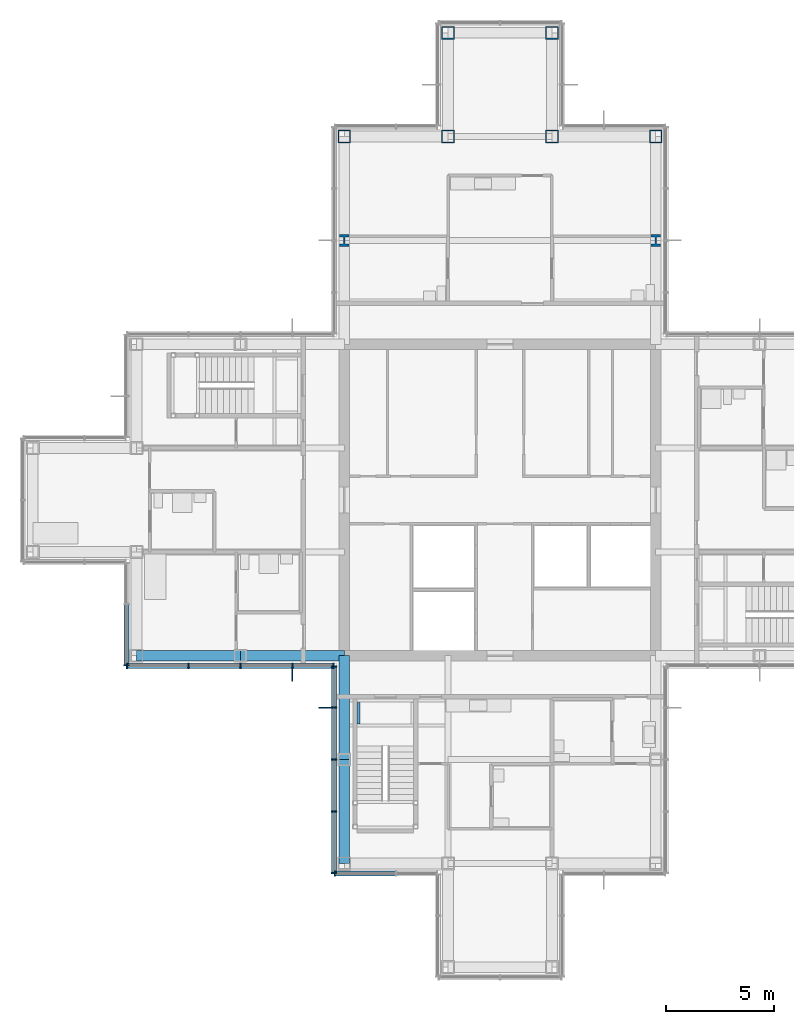
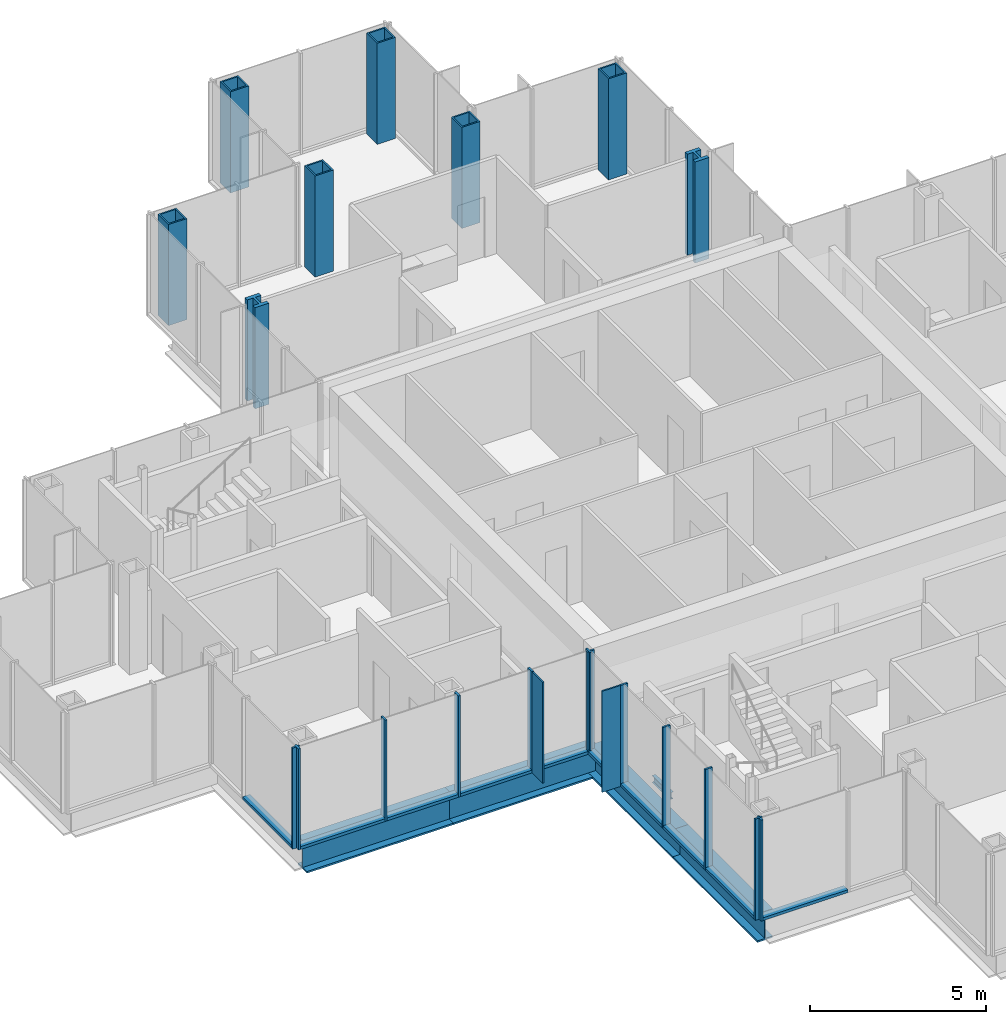
# One storey, part 5 of 17: 24 members, 8 columns, 5 beams, 4 elements without a shape of their own.
"""IFC4 building model written with IfcOpenShell, lengths in metres."""

from ifc_helpers import new_model, si_unit, direction, frame, origin, origin_2d, place, context, subcontext, project, spatial, rectangle, hollow_rectangle, i_section, extrude, material, material_profile, profile_set, type_object, element, aggregate, save


model = new_model("IFC4")

# Units and contexts
model_context = context("Model", 3, precision=1e-05, world=origin(), true_north=direction((0.0, 1.0)))
body_context = subcontext(model_context, "Body", "Model", "MODEL_VIEW")
ifc_project = project(units=[si_unit("LENGTHUNIT", "METRE"), si_unit("AREAUNIT", "SQUARE_METRE"), si_unit("VOLUMEUNIT", "CUBIC_METRE"), si_unit("PLANEANGLEUNIT", "RADIAN"), si_unit("MASSUNIT", "GRAM", prefix="KILO")], contexts=[model_context])

# Site, building, storey
site_placement = place(None, origin())
site = spatial("IfcSite", under=ifc_project, at=site_placement, CompositionType="ELEMENT")
building_placement = place(site_placement, origin())
building = spatial("IfcBuilding", under=site, at=building_placement, Name="Kvirike Care Tower", CompositionType="ELEMENT")
storey_placement = place(building_placement, frame((0.0, 0.0, 158.5)))
storey = spatial("IfcBuildingStorey", under=building, at=storey_placement, Name="L43", CompositionType="ELEMENT", Elevation=158.5)

# Columns
ifc_material_1 = material(Name="Steel S460", Category="steel")
ifc_material_profile_1 = material_profile(ifc_material_1, hollow_rectangle(XDim=0.60009765625, YDim=0.60009765625, WallThickness=0.050048828125, at=origin_2d()), Name="BX 600x600x50")
ifc_profile_set_1 = profile_set([ifc_material_profile_1], Name="Steel S460")
column_type_1 = type_object("IfcColumnType", Name="COLUMN BX 600x600x50", PredefinedType="COLUMN", material=ifc_profile_set_1)
for number, where, z_axis, x_axis, name in (
    (1, (14.39990234375, 52.800048828125, 0.0), (0.0, 0.0, 1.0), (0.0, 1.0, 0.0), "Column M6 L43"),
    (2, (19.199951171875, 52.800048828125, 0.0), (0.0, 0.0, 1.0), (0.0, 1.0, 0.0), "Column M7 L43"),
    (3, (19.199951171875, 57.60009765625, 0.0), (0.0, 0.0, 1.0), (0.0, 1.0, 0.0), "Column N7 L43"),
    (4, (24.0, 52.800048828125, 0.0), (0.0, 0.0, 1.0), (0.0, 1.0, 0.0), "Column M8 L43"),
    (5, (24.0, 57.60009765625, 0.0), (0.0, 0.0, 1.0), (0.0, 1.0, 0.0), "Column N8 L43"),
    (6, (28.800048828125, 52.800048828125, 0.0), (0.0, 0.0, 1.0), (0.0, 1.0, 0.0), "Column M9 L43"),
):
    element("IfcColumn", number, at=place(storey_placement, frame(where, z_axis=z_axis, x_axis=x_axis)), inside=storey, type_object=column_type_1, Name=name, PredefinedType="COLUMN", context=body_context, shape_type="SweptSolid", body=[
        extrude(hollow_rectangle(XDim=0.60009765625, YDim=0.60009765625, WallThickness=0.050048828125, at=origin_2d()), origin(), (0.0, 0.0, 1.0), 3.5),
    ])
ifc_material_2 = material(Name="Steel S460", Category="steel")
ifc_material_profile_2 = material_profile(ifc_material_2, i_section(OverallWidth=0.4541015625, OverallDepth=0.569091796875, WebThickness=0.077880859375, FlangeThickness=0.125, FilletRadius=0.014892578125, at=origin_2d()), Name="HD 400x1086")
ifc_profile_set_2 = profile_set([ifc_material_profile_2], Name="Steel S460")
column_type_2 = type_object("IfcColumnType", Name="COLUMN HD 400x1086", PredefinedType="COLUMN", material=ifc_profile_set_2)
for number, where, z_axis, x_axis, name in (
    (7, (14.39990234375, 48.0, 0.0), (0.0, 0.0, 1.0), (1.0, 0.0, 0.0), "Column L6 L43"),
    (8, (28.800048828125, 48.0, 0.0), (0.0, 0.0, 1.0), (1.0, 0.0, 0.0), "Column L9 L43"),
):
    element("IfcColumn", number, at=place(storey_placement, frame(where, z_axis=z_axis, x_axis=x_axis)), inside=storey, type_object=column_type_2, Name=name, PredefinedType="COLUMN", context=body_context, shape_type="SweptSolid", body=[
        extrude(i_section(OverallWidth=0.4541015625, OverallDepth=0.569091796875, WebThickness=0.077880859375, FlangeThickness=0.125, FilletRadius=0.014892578125, at=origin_2d()), origin(), (0.0, 0.0, 1.0), 3.5),
    ])

# Curtain wall, member
ifc_material_3 = material(Name="Anodised aluminium stick system", Category="aluminium")
curtain_wall_type = type_object("IfcCurtainWallType", Name="CW-C STICK CURTAIN WALL", PredefinedType="NOTDEFINED", material=ifc_material_3)
curtain_wall_1_placement = place(storey_placement, origin())
curtain_wall_1 = element("IfcCurtainWall", 9, at=curtain_wall_1_placement, inside=storey, type_object=curtain_wall_type, Name="Curtain wall L43 face 21", PredefinedType="NOTDEFINED")
ifc_material_4 = material(Name="Bronze anodised aluminium fin", Category="aluminium")
ifc_material_profile_3 = material_profile(ifc_material_4, rectangle(XDim=0.050048828125, YDim=0.60009765625, at=origin_2d()), Name="BRONZE FIN 600")
ifc_profile_set_3 = profile_set([ifc_material_profile_3], Name="Bronze anodised aluminium fin")
member_type_1 = type_object("IfcMemberType", Name="BRONZE FIN 600", PredefinedType="USERDEFINED", material=ifc_profile_set_3)
member_1_placement = place(storey_placement, frame((12.0, 27.909912109375, 0.0), z_axis=(0.0, 0.0, 1.0), x_axis=(1.0, 0.0, 0.0)))
member_1 = element("IfcMember", 10, at=member_1_placement, type_object=member_type_1, Name="Bronze fin L43 face 21.4", ObjectType="FIN", PredefinedType="USERDEFINED", context=body_context, shape_type="SweptSolid", body=[
    extrude(rectangle(XDim=0.050048828125, YDim=0.60009765625, at=origin_2d()), origin(), (0.0, 0.0, 1.0), 3.5),
])

curtain_wall_2_placement = place(storey_placement, origin())
curtain_wall_2 = element("IfcCurtainWall", 11, at=curtain_wall_2_placement, inside=storey, type_object=curtain_wall_type, Name="Curtain wall L43 face 22", PredefinedType="NOTDEFINED")
member_2_placement = place(storey_placement, frame((13.510009765625, 26.39990234375, 0.0), z_axis=(0.0, 0.0, 1.0), x_axis=(0.0, -1.0, 0.0)))
member_2 = element("IfcMember", 12, at=member_2_placement, type_object=member_type_1, Name="Bronze fin L43 face 22.2", ObjectType="FIN", PredefinedType="USERDEFINED", context=body_context, shape_type="SweptSolid", body=[
    extrude(rectangle(XDim=0.050048828125, YDim=0.60009765625, at=origin_2d()), origin(), (0.0, 0.0, 1.0), 3.5),
])

curtain_wall_3_placement = place(storey_placement, origin())
curtain_wall_3 = element("IfcCurtainWall", 13, at=curtain_wall_3_placement, inside=storey, type_object=curtain_wall_type, Name="Curtain wall L43 face 20", PredefinedType="NOTDEFINED")
ifc_material_5 = material(Name="Bronze anodised aluminium mullion", Category="aluminium")
ifc_material_profile_4 = material_profile(ifc_material_5, rectangle(XDim=0.06494140625, YDim=0.239990234375, at=origin_2d()), Name="CW-C MULLION 65x240")
ifc_profile_set_4 = profile_set([ifc_material_profile_4], Name="Bronze anodised aluminium mullion")
member_type_2 = type_object("IfcMemberType", Name="CW-C MULLION 65x240", PredefinedType="MULLION", material=ifc_profile_set_4)
member_3_placement = place(storey_placement, frame((4.330078125, 28.362548828125, 0.0), z_axis=(0.0, 0.0, 1.0), x_axis=(0.0, -1.0, 0.0)))
member_3 = element("IfcMember", 14, at=member_3_placement, type_object=member_type_2, Name="CW-C mullion L43 face 20.3", PredefinedType="MULLION", context=body_context, shape_type="SweptSolid", body=[
    extrude(rectangle(XDim=0.06494140625, YDim=0.239990234375, at=origin_2d()), origin(), (0.0, 0.0, 1.0), 3.5),
])

# Member
member_4_placement = place(storey_placement, frame((4.362548828125, 28.330078125, 0.0), z_axis=(0.0, 0.0, 1.0), x_axis=(1.0, 0.0, 0.0)))
member_4 = element("IfcMember", 15, at=member_4_placement, type_object=member_type_2, Name="CW-C mullion L43 face 21.1", PredefinedType="MULLION", context=body_context, shape_type="SweptSolid", body=[
    extrude(rectangle(XDim=0.06494140625, YDim=0.239990234375, at=origin_2d()), origin(), (0.0, 0.0, 1.0), 3.5),
])

member_5_placement = place(storey_placement, frame((7.199951171875, 28.330078125, 0.0), z_axis=(0.0, 0.0, 1.0), x_axis=(1.0, 0.0, 0.0)))
member_5 = element("IfcMember", 16, at=member_5_placement, type_object=member_type_2, Name="CW-C mullion L43 face 21.2", PredefinedType="MULLION", context=body_context, shape_type="SweptSolid", body=[
    extrude(rectangle(XDim=0.06494140625, YDim=0.239990234375, at=origin_2d()), origin(), (0.0, 0.0, 1.0), 3.5),
])

member_6_placement = place(storey_placement, frame((9.60009765625, 28.330078125, 0.0), z_axis=(0.0, 0.0, 1.0), x_axis=(1.0, 0.0, 0.0)))
member_6 = element("IfcMember", 17, at=member_6_placement, type_object=member_type_2, Name="CW-C mullion L43 face 21.3", PredefinedType="MULLION", context=body_context, shape_type="SweptSolid", body=[
    extrude(rectangle(XDim=0.06494140625, YDim=0.239990234375, at=origin_2d()), origin(), (0.0, 0.0, 1.0), 3.5),
])

member_7_placement = place(storey_placement, frame((12.0, 28.330078125, 0.0), z_axis=(0.0, 0.0, 1.0), x_axis=(1.0, 0.0, 0.0)))
member_7 = element("IfcMember", 18, at=member_7_placement, type_object=member_type_2, Name="CW-C mullion L43 face 21.4", PredefinedType="MULLION", context=body_context, shape_type="SweptSolid", body=[
    extrude(rectangle(XDim=0.06494140625, YDim=0.239990234375, at=origin_2d()), origin(), (0.0, 0.0, 1.0), 3.5),
])

member_8_placement = place(storey_placement, frame((13.8974609375, 28.330078125, 0.0), z_axis=(0.0, 0.0, 1.0), x_axis=(1.0, 0.0, 0.0)))
member_8 = element("IfcMember", 19, at=member_8_placement, type_object=member_type_2, Name="CW-C mullion L43 face 21.5", PredefinedType="MULLION", context=body_context, shape_type="SweptSolid", body=[
    extrude(rectangle(XDim=0.06494140625, YDim=0.239990234375, at=origin_2d()), origin(), (0.0, 0.0, 1.0), 3.5),
])

member_9_placement = place(storey_placement, frame((13.929931640625, 28.297607421875, 0.0), z_axis=(0.0, 0.0, 1.0), x_axis=(0.0, -1.0, 0.0)))
member_9 = element("IfcMember", 20, at=member_9_placement, type_object=member_type_2, Name="CW-C mullion L43 face 22.1", PredefinedType="MULLION", context=body_context, shape_type="SweptSolid", body=[
    extrude(rectangle(XDim=0.06494140625, YDim=0.239990234375, at=origin_2d()), origin(), (0.0, 0.0, 1.0), 3.5),
])

member_10_placement = place(storey_placement, frame((13.929931640625, 26.39990234375, 0.0), z_axis=(0.0, 0.0, 1.0), x_axis=(0.0, -1.0, 0.0)))
member_10 = element("IfcMember", 21, at=member_10_placement, type_object=member_type_2, Name="CW-C mullion L43 face 22.2", PredefinedType="MULLION", context=body_context, shape_type="SweptSolid", body=[
    extrude(rectangle(XDim=0.06494140625, YDim=0.239990234375, at=origin_2d()), origin(), (0.0, 0.0, 1.0), 3.5),
])

member_11_placement = place(storey_placement, frame((13.929931640625, 24.0, 0.0), z_axis=(0.0, 0.0, 1.0), x_axis=(0.0, -1.0, 0.0)))
member_11 = element("IfcMember", 22, at=member_11_placement, type_object=member_type_2, Name="CW-C mullion L43 face 22.3", PredefinedType="MULLION", context=body_context, shape_type="SweptSolid", body=[
    extrude(rectangle(XDim=0.06494140625, YDim=0.239990234375, at=origin_2d()), origin(), (0.0, 0.0, 1.0), 3.5),
])

member_12_placement = place(storey_placement, frame((13.929931640625, 21.60009765625, 0.0), z_axis=(0.0, 0.0, 1.0), x_axis=(0.0, -1.0, 0.0)))
member_12 = element("IfcMember", 23, at=member_12_placement, type_object=member_type_2, Name="CW-C mullion L43 face 22.4", PredefinedType="MULLION", context=body_context, shape_type="SweptSolid", body=[
    extrude(rectangle(XDim=0.06494140625, YDim=0.239990234375, at=origin_2d()), origin(), (0.0, 0.0, 1.0), 3.5),
])

member_13_placement = place(storey_placement, frame((13.929931640625, 18.762451171875, 0.0), z_axis=(0.0, 0.0, 1.0), x_axis=(0.0, -1.0, 0.0)))
member_13 = element("IfcMember", 24, at=member_13_placement, type_object=member_type_2, Name="CW-C mullion L43 face 22.5", PredefinedType="MULLION", context=body_context, shape_type="SweptSolid", body=[
    extrude(rectangle(XDim=0.06494140625, YDim=0.239990234375, at=origin_2d()), origin(), (0.0, 0.0, 1.0), 3.5),
])

# Curtain wall, member
curtain_wall_4_placement = place(storey_placement, origin())
curtain_wall_4 = element("IfcCurtainWall", 25, at=curtain_wall_4_placement, inside=storey, type_object=curtain_wall_type, Name="Curtain wall L43 face 23", PredefinedType="NOTDEFINED")
member_14_placement = place(storey_placement, frame((13.96240234375, 18.72998046875, 0.0), z_axis=(0.0, 0.0, 1.0), x_axis=(1.0, 0.0, 0.0)))
member_14 = element("IfcMember", 26, at=member_14_placement, type_object=member_type_2, Name="CW-C mullion L43 face 23.1", PredefinedType="MULLION", context=body_context, shape_type="SweptSolid", body=[
    extrude(rectangle(XDim=0.06494140625, YDim=0.239990234375, at=origin_2d()), origin(), (0.0, 0.0, 1.0), 3.5),
])

# Member
ifc_material_6 = material(Name="Bronze anodised aluminium transom", Category="aluminium")
ifc_material_profile_5 = material_profile(ifc_material_6, rectangle(XDim=0.239990234375, YDim=0.10009765625, at=origin_2d()), Name="CW-C TRANSOM 240x100")
ifc_profile_set_5 = profile_set([ifc_material_profile_5], Name="Bronze anodised aluminium transom")
member_type_3 = type_object("IfcMemberType", Name="CW-C TRANSOM 240x100", PredefinedType="USERDEFINED", material=ifc_profile_set_5)
member_15_placement = place(storey_placement, frame((4.330078125, 31.16748046875, 0.050048828125), z_axis=(0.0, -1.0, 0.0), x_axis=(1.0, 0.0, 0.0)))
member_15 = element("IfcMember", 27, at=member_15_placement, type_object=member_type_3, Name="CW-C sill transom L43 face 20.2", ObjectType="TRANSOM", PredefinedType="USERDEFINED", context=body_context, shape_type="SweptSolid", body=[
    extrude(rectangle(XDim=0.239990234375, YDim=0.10009765625, at=origin_2d()), origin(), (0.0, 0.0, 1.0), 2.7724609375),
])

aggregate(curtain_wall_3, [member_3, member_15])

member_16_placement = place(storey_placement, frame((4.39501953125, 28.330078125, 0.050048828125), z_axis=(1.0, 0.0, 0.0), x_axis=(0.0, 1.0, 0.0)))
member_16 = element("IfcMember", 28, at=member_16_placement, type_object=member_type_3, Name="CW-C sill transom L43 face 21.1", ObjectType="TRANSOM", PredefinedType="USERDEFINED", context=body_context, shape_type="SweptSolid", body=[
    extrude(rectangle(XDim=0.239990234375, YDim=0.10009765625, at=origin_2d()), origin(), (0.0, 0.0, 1.0), 2.7724609375),
])

member_17_placement = place(storey_placement, frame((7.232421875, 28.330078125, 0.050048828125), z_axis=(1.0, 0.0, 0.0), x_axis=(0.0, 1.0, 0.0)))
member_17 = element("IfcMember", 29, at=member_17_placement, type_object=member_type_3, Name="CW-C sill transom L43 face 21.2", ObjectType="TRANSOM", PredefinedType="USERDEFINED", context=body_context, shape_type="SweptSolid", body=[
    extrude(rectangle(XDim=0.239990234375, YDim=0.10009765625, at=origin_2d()), origin(), (0.0, 0.0, 1.0), 2.3349609375),
])

member_18_placement = place(storey_placement, frame((9.632568359375, 28.330078125, 0.050048828125), z_axis=(1.0, 0.0, 0.0), x_axis=(0.0, 1.0, 0.0)))
member_18 = element("IfcMember", 30, at=member_18_placement, type_object=member_type_3, Name="CW-C sill transom L43 face 21.3", ObjectType="TRANSOM", PredefinedType="USERDEFINED", context=body_context, shape_type="SweptSolid", body=[
    extrude(rectangle(XDim=0.239990234375, YDim=0.10009765625, at=origin_2d()), origin(), (0.0, 0.0, 1.0), 2.3349609375),
])

member_19_placement = place(storey_placement, frame((12.032470703125, 28.330078125, 0.050048828125), z_axis=(1.0, 0.0, 0.0), x_axis=(0.0, 1.0, 0.0)))
member_19 = element("IfcMember", 31, at=member_19_placement, type_object=member_type_3, Name="CW-C sill transom L43 face 21.4", ObjectType="TRANSOM", PredefinedType="USERDEFINED", context=body_context, shape_type="SweptSolid", body=[
    extrude(rectangle(XDim=0.239990234375, YDim=0.10009765625, at=origin_2d()), origin(), (0.0, 0.0, 1.0), 1.83251953125),
])

aggregate(curtain_wall_1, [member_4, member_5, member_6, member_7, member_1, member_8, member_16, member_17, member_18, member_19])

member_20_placement = place(storey_placement, frame((13.929931640625, 28.264892578125, 0.050048828125), z_axis=(0.0, -1.0, 0.0), x_axis=(1.0, 0.0, 0.0)))
member_20 = element("IfcMember", 32, at=member_20_placement, type_object=member_type_3, Name="CW-C sill transom L43 face 22.1", ObjectType="TRANSOM", PredefinedType="USERDEFINED", context=body_context, shape_type="SweptSolid", body=[
    extrude(rectangle(XDim=0.239990234375, YDim=0.10009765625, at=origin_2d()), origin(), (0.0, 0.0, 1.0), 1.832275390625),
])

member_21_placement = place(storey_placement, frame((13.929931640625, 26.367431640625, 0.050048828125), z_axis=(0.0, -1.0, 0.0), x_axis=(1.0, 0.0, 0.0)))
member_21 = element("IfcMember", 33, at=member_21_placement, type_object=member_type_3, Name="CW-C sill transom L43 face 22.2", ObjectType="TRANSOM", PredefinedType="USERDEFINED", context=body_context, shape_type="SweptSolid", body=[
    extrude(rectangle(XDim=0.239990234375, YDim=0.10009765625, at=origin_2d()), origin(), (0.0, 0.0, 1.0), 2.3349609375),
])

member_22_placement = place(storey_placement, frame((13.929931640625, 23.967529296875, 0.050048828125), z_axis=(0.0, -1.0, 0.0), x_axis=(1.0, 0.0, 0.0)))
member_22 = element("IfcMember", 34, at=member_22_placement, type_object=member_type_3, Name="CW-C sill transom L43 face 22.3", ObjectType="TRANSOM", PredefinedType="USERDEFINED", context=body_context, shape_type="SweptSolid", body=[
    extrude(rectangle(XDim=0.239990234375, YDim=0.10009765625, at=origin_2d()), origin(), (0.0, 0.0, 1.0), 2.3349609375),
])

member_23_placement = place(storey_placement, frame((13.929931640625, 21.5673828125, 0.050048828125), z_axis=(0.0, -1.0, 0.0), x_axis=(1.0, 0.0, 0.0)))
member_23 = element("IfcMember", 35, at=member_23_placement, type_object=member_type_3, Name="CW-C sill transom L43 face 22.4", ObjectType="TRANSOM", PredefinedType="USERDEFINED", context=body_context, shape_type="SweptSolid", body=[
    extrude(rectangle(XDim=0.239990234375, YDim=0.10009765625, at=origin_2d()), origin(), (0.0, 0.0, 1.0), 2.7724609375),
])

aggregate(curtain_wall_2, [member_9, member_10, member_2, member_11, member_12, member_13, member_20, member_21, member_22, member_23])

member_24_placement = place(storey_placement, frame((13.9951171875, 18.72998046875, 0.050048828125), z_axis=(1.0, 0.0, 0.0), x_axis=(0.0, 1.0, 0.0)))
member_24 = element("IfcMember", 36, at=member_24_placement, type_object=member_type_3, Name="CW-C sill transom L43 face 23.1", ObjectType="TRANSOM", PredefinedType="USERDEFINED", context=body_context, shape_type="SweptSolid", body=[
    extrude(rectangle(XDim=0.239990234375, YDim=0.10009765625, at=origin_2d()), origin(), (0.0, 0.0, 1.0), 2.7724609375),
])

aggregate(curtain_wall_4, [member_14, member_24])

# Beams
ifc_material_7 = material(Name="Steel S355", Category="steel")
ifc_material_profile_6 = material_profile(ifc_material_7, i_section(OverallWidth=0.5, OverallDepth=1.0, WebThickness=0.030029296875, FlangeThickness=0.06005859375, at=origin_2d()), Name="PG 1000x500x30x60")
ifc_profile_set_6 = profile_set([ifc_material_profile_6], Name="Steel S355")
beam_type_1 = type_object("IfcBeamType", Name="SPANDREL PG 1000x500x30x60", PredefinedType="SPANDREL", material=ifc_profile_set_6)
beam_1_placement = place(storey_placement, frame((4.800048828125, 28.800048828125, -0.669921875), z_axis=(1.0, 0.0, 0.0), x_axis=(0.0, 1.0, 0.0)))
element("IfcBeam", 37, at=beam_1_placement, inside=storey, type_object=beam_type_1, Name="Spandrel G4-G5 L43", PredefinedType="SPANDREL", context=body_context, shape_type="SweptSolid", body=[
    extrude(i_section(OverallWidth=0.5, OverallDepth=1.0, WebThickness=0.030029296875, FlangeThickness=0.06005859375, at=origin_2d()), origin(), (0.0, 0.0, 1.0), 4.800048828125),
])
beam_2_placement = place(storey_placement, frame((9.60009765625, 28.800048828125, -0.669921875), z_axis=(1.0, 0.0, 0.0), x_axis=(0.0, 1.0, 0.0)))
element("IfcBeam", 38, at=beam_2_placement, inside=storey, type_object=beam_type_1, Name="Spandrel G5-G6 L43", PredefinedType="SPANDREL", context=body_context, shape_type="SweptSolid", body=[
    extrude(i_section(OverallWidth=0.5, OverallDepth=1.0, WebThickness=0.030029296875, FlangeThickness=0.06005859375, at=origin_2d()), origin(), (0.0, 0.0, 1.0), 4.7998046875),
])
for number, where, z_axis, x_axis, name in (
    (39, (14.39990234375, 19.199951171875, -0.669921875), (0.0, 1.0, 0.0), (-1.0, 0.0, 0.0), "Spandrel E6-F6 L43"),
    (40, (14.39990234375, 24.0, -0.669921875), (0.0, 1.0, 0.0), (-1.0, 0.0, 0.0), "Spandrel F6-G6 L43"),
):
    element("IfcBeam", number, at=place(storey_placement, frame(where, z_axis=z_axis, x_axis=x_axis)), inside=storey, type_object=beam_type_1, Name=name, PredefinedType="SPANDREL", context=body_context, shape_type="SweptSolid", body=[
        extrude(i_section(OverallWidth=0.5, OverallDepth=1.0, WebThickness=0.030029296875, FlangeThickness=0.06005859375, at=origin_2d()), origin(), (0.0, 0.0, 1.0), 4.800048828125),
    ])
ifc_material_8 = material(Name="Steel S355", Category="steel")
ifc_material_profile_7 = material_profile(ifc_material_8, i_section(OverallWidth=0.1201171875, OverallDepth=0.239990234375, WebThickness=0.006103515625, FlangeThickness=0.009765625, FilletRadius=0.014892578125, at=origin_2d()), Name="IPE 240")
ifc_profile_set_7 = profile_set([ifc_material_profile_7], Name="Steel S355")
beam_type_2 = type_object("IfcBeamType", Name="STAIR LANDING BEAM IPE 240", PredefinedType="BEAM", material=ifc_profile_set_7)
beam_3_placement = place(storey_placement, frame((15.06005859375, 25.64990234375, -0.320068359375), z_axis=(0.0, 1.0, 0.0), x_axis=(-1.0, 0.0, 0.0)))
element("IfcBeam", 41, at=beam_3_placement, inside=storey, type_object=beam_type_2, Name="Stair 5 landing edge beam 1 L43", PredefinedType="BEAM", context=body_context, shape_type="SweptSolid", body=[
    extrude(i_section(OverallWidth=0.1201171875, OverallDepth=0.239990234375, WebThickness=0.006103515625, FlangeThickness=0.009765625, FilletRadius=0.014892578125, at=origin_2d()), origin(), (0.0, 0.0, 1.0), 1.0),
])

save(model, "model.ifc")
